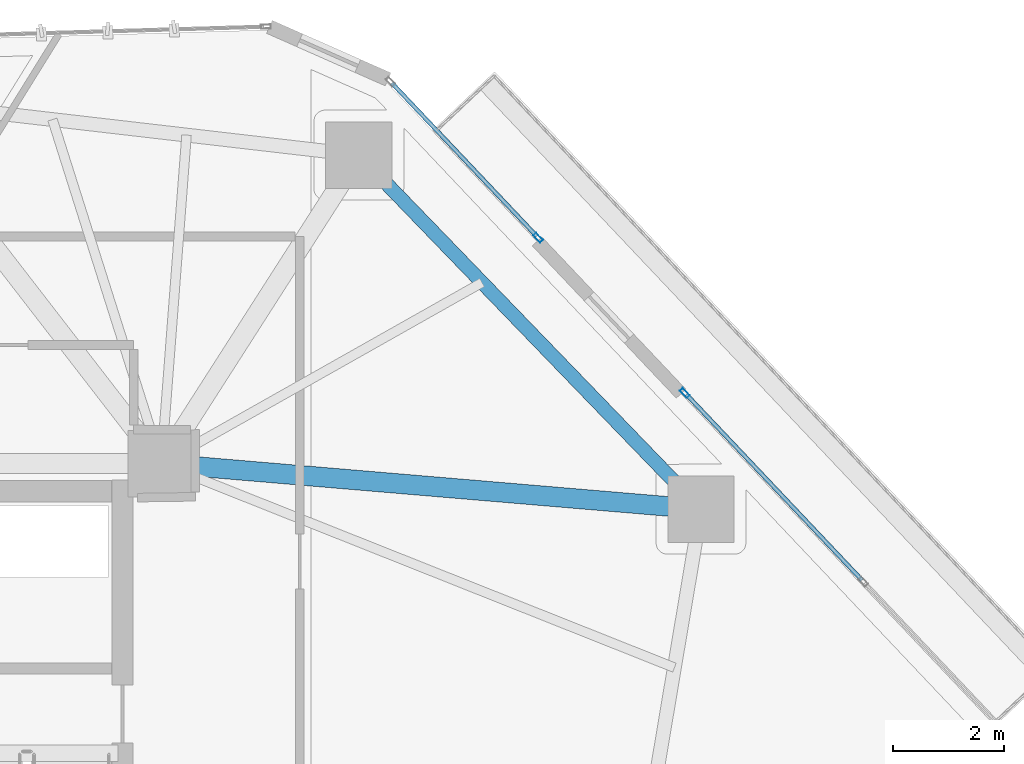
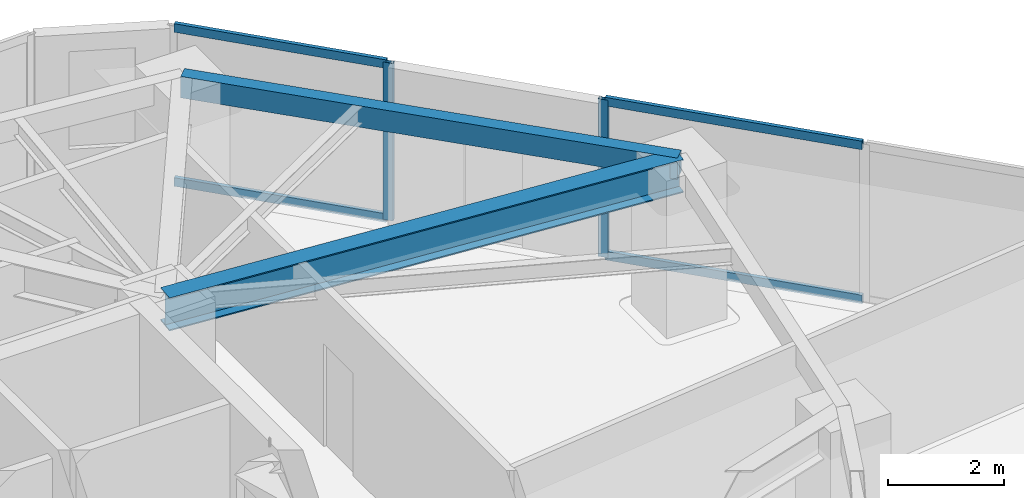
# One storey, part 14 of 23: 6 members, 2 beams, 2 elements without a shape of their own.
"""IFC4 building model written with IfcOpenShell, lengths in metres."""

from ifc_helpers import new_model, si_unit, direction, frame, origin, origin_2d, place, context, subcontext, project, spatial, hollow_rectangle, i_section, extrude, source, transform, mapped, material, layer, layer_set, material_profile, profile_set, type_object, type_shapes, element, aggregate, save


model = new_model("IFC4")

# Units and contexts
model_context = context("Model", 3, precision=1e-05, world=origin(), true_north=direction((0.0, 1.0)))
body_context = subcontext(model_context, "Body", "Model", "MODEL_VIEW")
ifc_project = project(units=[si_unit("LENGTHUNIT", "METRE"), si_unit("AREAUNIT", "SQUARE_METRE"), si_unit("VOLUMEUNIT", "CUBIC_METRE"), si_unit("PLANEANGLEUNIT", "RADIAN"), si_unit("MASSUNIT", "GRAM", prefix="KILO")], contexts=[model_context])

# Site, building, storey
site_placement = place(None, origin())
site = spatial("IfcSite", under=ifc_project, at=site_placement, CompositionType="ELEMENT")
building_placement = place(site_placement, origin())
building = spatial("IfcBuilding", under=site, at=building_placement, Name="Talar Marvaseh", CompositionType="ELEMENT")
storey_placement = place(building_placement, frame((0.0, 0.0, 96.60009765625)))
storey = spatial("IfcBuildingStorey", under=building, at=storey_placement, Name="L24", CompositionType="ELEMENT", Elevation=96.60009765625)

# Beams
ifc_material_1 = material(Name="Steel S355", Category="steel")
ifc_material_profile_1 = material_profile(ifc_material_1, hollow_rectangle(XDim=0.25, YDim=0.449951171875, WallThickness=0.01611328125, at=origin_2d()), Name="RHS450x250x16")
ifc_profile_set_1 = profile_set([ifc_material_profile_1], Name="Steel S355")
beam_type_1 = type_object("IfcBeamType", Name="Zone 2 Perimeter Spandrel Beam RHS450x250x16", PredefinedType="SPANDREL", material=ifc_profile_set_1)
beam_1_placement = place(storey_placement, frame((36.865966796875, 42.470947265625, 3.0849609375), z_axis=(0.694796856243, -0.719206040405, 0.0), x_axis=(0.719206040405, 0.694796856243, 0.0)))
element("IfcBeam", 1, at=beam_1_placement, inside=storey, type_object=beam_type_1, Name="L24 Zone 2 Perimeter Spandrel Beam RHS450x250x16", PredefinedType="SPANDREL", context=body_context, shape_type="SweptSolid", body=[
    extrude(hollow_rectangle(XDim=0.25, YDim=0.449951171875, WallThickness=0.01611328125, at=origin_2d()), origin(), (0.0, 0.0, 1.0), 8.891845703125),
])
ifc_material_profile_2 = material_profile(ifc_material_1, i_section(OverallWidth=0.35498046875, OverallDepth=0.695068359375, WebThickness=0.015380859375, FlangeThickness=0.02490234375, at=origin_2d()), Name="W690x217")
ifc_profile_set_2 = profile_set([ifc_material_profile_2], Name="Steel S355")
beam_type_2 = type_object("IfcBeamType", Name="Zone 2 Radial Floor Girder W690x217", PredefinedType="BEAM", material=ifc_profile_set_2)
beam_2_placement = place(storey_placement, frame((43.0439453125, 36.075927734375, 2.96240234375), z_axis=(-0.996443598923, 0.084262412527, 0.0), x_axis=(-0.084262412527, -0.996443598923, 0.0)))
element("IfcBeam", 2, at=beam_2_placement, inside=storey, type_object=beam_type_2, Name="L24 Zone 2 Radial Floor Girder W690x217", PredefinedType="BEAM", context=body_context, shape_type="SweptSolid", body=[
    extrude(i_section(OverallWidth=0.35498046875, OverallDepth=0.695068359375, WebThickness=0.015380859375, FlangeThickness=0.02490234375, at=origin_2d()), origin(), (0.0, 0.0, 1.0), 9.778564453125),
])

# Curtain wall, member
ifc_material_2 = material(Name="Architectural Aluminium", Category="aluminium")
ifc_layer = layer(ifc_material_2, 0.199951171875)
ifc_layer_set = layer_set([ifc_layer], Name="Architectural Aluminium")
curtain_wall_type = type_object("IfcCurtainWallType", Name="Unitised Acoustic Library Curtain Wall Z2", PredefinedType="NOTDEFINED", material=ifc_layer_set)
curtain_wall_1_placement = place(storey_placement, origin())
curtain_wall_1 = element("IfcCurtainWall", 3, at=curtain_wall_1_placement, inside=storey, type_object=curtain_wall_type, Name="L24 Unitised Acoustic Library Curtain Wall Z2", PredefinedType="NOTDEFINED")
ifc_material_profile_3 = material_profile(ifc_material_2, hollow_rectangle(XDim=0.074951171875, YDim=0.179931640625, WallThickness=0.0048828125, at=origin_2d()), Name="RHS180x75x5")
ifc_profile_set_3 = profile_set([ifc_material_profile_3], Name="Architectural Aluminium")
member_type_1 = type_object("IfcMemberType", Name="Unitised Curtain Wall Standard Mullion RHS180x75x5", PredefinedType="MULLION", material=ifc_profile_set_3)
shared_shape_1 = source(origin(), body_context, "Body", "SweptSolid", [
    extrude(hollow_rectangle(XDim=0.074951171875, YDim=0.179931640625, WallThickness=0.0048828125, at=origin_2d()), origin(), (0.0, 0.0, 1.0), 3.309814453125),
])
type_shapes(member_type_1, [shared_shape_1])
member_1_placement = place(storey_placement, frame((40.102294921875, 40.978759765625, 0.0), z_axis=(0.0, 0.0, 1.0), x_axis=(0.726521306545, 0.687143937714, 0.0)))
member_1 = element("IfcMember", 4, at=member_1_placement, type_object=member_type_1, Name="CW-Z2 mullion 2", PredefinedType="MULLION", context=body_context, shape_type="MappedRepresentation", body=[
    mapped(shared_shape_1, transform((0.0, 0.0, 0.0), x_axis=(1.0, 0.0, 0.0), y_axis=(0.0, 1.0, 0.0), z_axis=(0.0, 0.0, 1.0), scale=1.0)),
])

curtain_wall_2_placement = place(storey_placement, origin())
curtain_wall_2 = element("IfcCurtainWall", 5, at=curtain_wall_2_placement, inside=storey, type_object=curtain_wall_type, Name="L24 Unitised Acoustic Library Curtain Wall Z2", PredefinedType="NOTDEFINED")
member_2_placement = place(storey_placement, frame((42.752685546875, 38.17626953125, 0.0), z_axis=(0.0, 0.0, 1.0), x_axis=(0.726530202595, 0.687134531746, 0.0)))
member_2 = element("IfcMember", 6, at=member_2_placement, type_object=member_type_1, Name="CW-Z2 mullion 1", PredefinedType="MULLION", context=body_context, shape_type="MappedRepresentation", body=[
    mapped(shared_shape_1, transform((0.0, 0.0, 0.0), x_axis=(1.0, 0.0, 0.0), y_axis=(0.0, 1.0, 0.0), z_axis=(0.0, 0.0, 1.0), scale=1.0)),
])

# Member
ifc_material_profile_4 = material_profile(ifc_material_2, hollow_rectangle(XDim=0.074951171875, YDim=0.179931640625, WallThickness=0.0048828125, at=origin_2d()), Name="RHS180x75x5")
ifc_profile_set_4 = profile_set([ifc_material_profile_4], Name="Architectural Aluminium")
member_type_2 = type_object("IfcMemberType", Name="Unitised Curtain Wall Transom RHS180x75x5", PredefinedType="USERDEFINED", material=ifc_profile_set_4)
shared_shape_2 = source(origin(), body_context, "Body", "SweptSolid", [
    extrude(hollow_rectangle(XDim=0.074951171875, YDim=0.179931640625, WallThickness=0.0048828125, at=origin_2d()), origin(), (0.0, 0.0, 1.0), 3.803955078125),
])
member_3_placement = place(storey_placement, frame((37.462646484375, 43.769775390625, 0.037353515625), z_axis=(0.687162320489, -0.726503919673, 0.0), x_axis=(0.726503919673, 0.687162320489, 0.0)))
member_3 = element("IfcMember", 7, at=member_3_placement, type_object=member_type_2, Name="CW-Z2 transom 1.1", ObjectType="TRANSOM", PredefinedType="USERDEFINED", context=body_context, shape_type="MappedRepresentation", body=[
    mapped(shared_shape_2, transform((0.0, 0.0, 0.0), x_axis=(1.0, 0.0, 0.0), y_axis=(0.0, 1.0, 0.0), z_axis=(0.0, 0.0, 1.0), scale=1.0)),
])

member_4_placement = place(storey_placement, frame((37.462646484375, 43.769775390625, 3.2724609375), z_axis=(0.687162320489, -0.726503919673, 0.0), x_axis=(0.726503919673, 0.687162320489, 0.0)))
member_4 = element("IfcMember", 8, at=member_4_placement, type_object=member_type_2, Name="CW-Z2 transom 1.2", ObjectType="TRANSOM", PredefinedType="USERDEFINED", context=body_context, shape_type="MappedRepresentation", body=[
    mapped(shared_shape_2, transform((0.0, 0.0, 0.0), x_axis=(1.0, 0.0, 0.0), y_axis=(0.0, 1.0, 0.0), z_axis=(0.0, 0.0, 1.0), scale=1.0)),
])

aggregate(curtain_wall_1, [member_1, member_3, member_4])

shared_shape_3 = source(origin(), body_context, "Body", "SweptSolid", [
    extrude(hollow_rectangle(XDim=0.074951171875, YDim=0.179931640625, WallThickness=0.0048828125, at=origin_2d()), origin(), (0.0, 0.0, 1.0), 4.614990234375),
])
type_shapes(member_type_2, [shared_shape_2, shared_shape_3])
member_5_placement = place(storey_placement, frame((42.778564453125, 38.149169921875, 0.037353515625), z_axis=(0.687126658228, -0.726537649095, 0.0), x_axis=(0.726537649095, 0.687126658228, 0.0)))
member_5 = element("IfcMember", 9, at=member_5_placement, type_object=member_type_2, Name="CW-Z2 transom 1.1", ObjectType="TRANSOM", PredefinedType="USERDEFINED", context=body_context, shape_type="MappedRepresentation", body=[
    mapped(shared_shape_3, transform((0.0, 0.0, 0.0), x_axis=(1.0, 0.0, 0.0), y_axis=(0.0, 1.0, 0.0), z_axis=(0.0, 0.0, 1.0), scale=1.0)),
])

member_6_placement = place(storey_placement, frame((42.778564453125, 38.149169921875, 3.2724609375), z_axis=(0.687126658228, -0.726537649095, 0.0), x_axis=(0.726537649095, 0.687126658228, 0.0)))
member_6 = element("IfcMember", 10, at=member_6_placement, type_object=member_type_2, Name="CW-Z2 transom 1.2", ObjectType="TRANSOM", PredefinedType="USERDEFINED", context=body_context, shape_type="MappedRepresentation", body=[
    mapped(shared_shape_3, transform((0.0, 0.0, 0.0), x_axis=(1.0, 0.0, 0.0), y_axis=(0.0, 1.0, 0.0), z_axis=(0.0, 0.0, 1.0), scale=1.0)),
])

aggregate(curtain_wall_2, [member_2, member_5, member_6])

save(model, "model.ifc")
